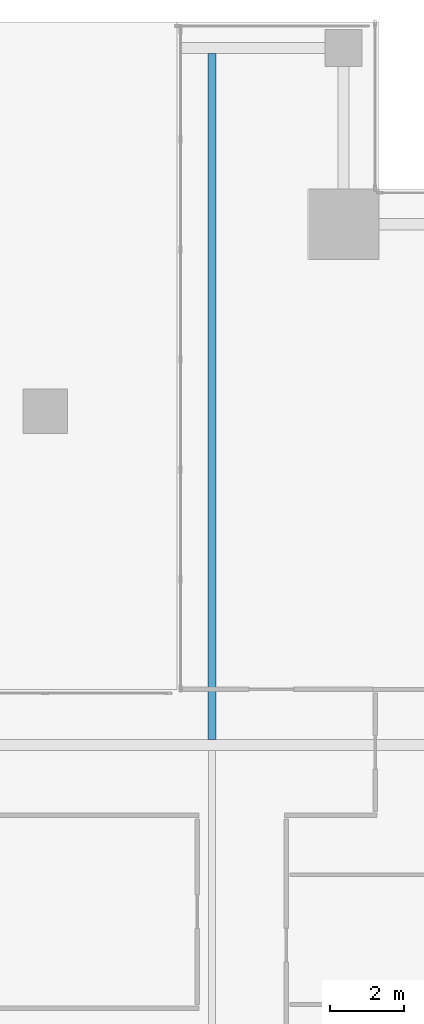
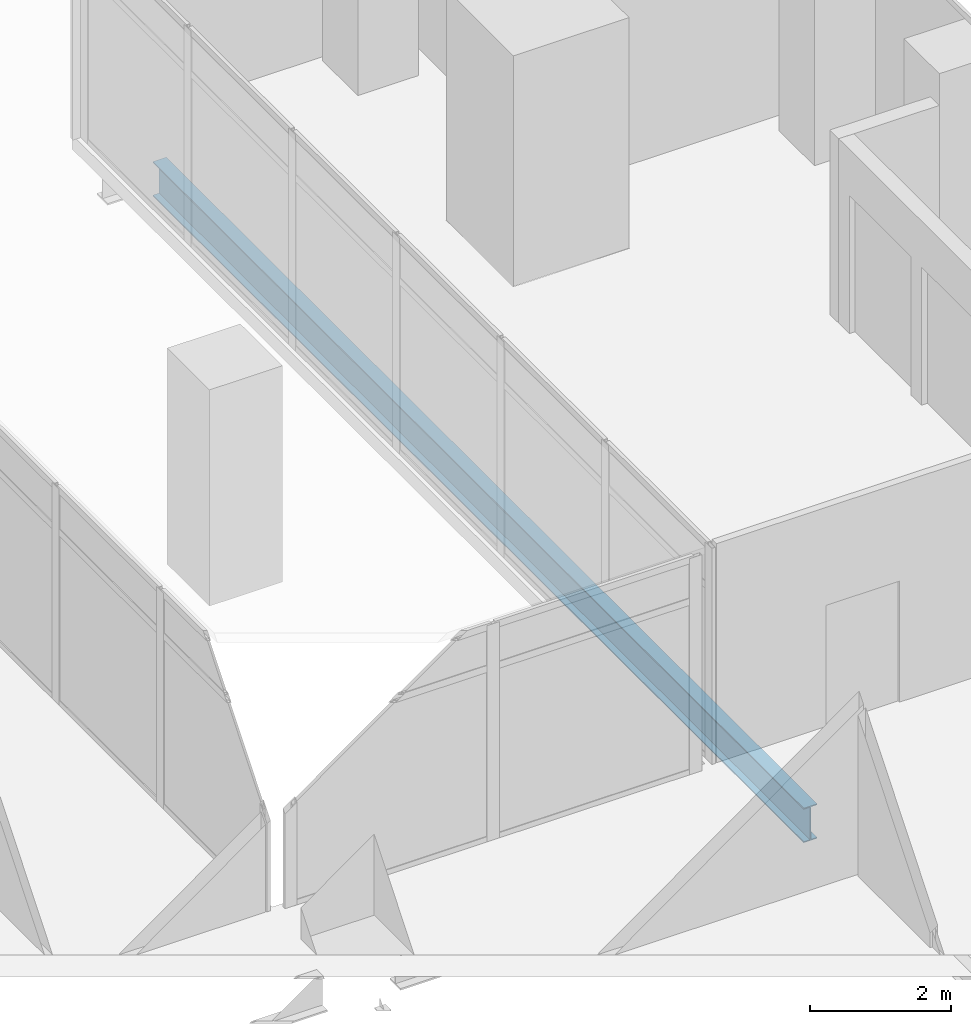
# One storey, part 26 of 40: 1 beam.
"""IFC4 building model written with IfcOpenShell, lengths in metres."""

from ifc_helpers import new_model, si_unit, direction, frame, origin, origin_2d, place, context, subcontext, project, spatial, i_section, extrude, source, transform, mapped, material, material_profile, profile_set, type_object, element, save


model = new_model("IFC4")

# Units and contexts
model_context = context("Model", 3, precision=1e-05, world=origin(), true_north=direction((0.0, 1.0)))
body_context = subcontext(model_context, "Body", "Model", "MODEL_VIEW")
ifc_project = project(units=[si_unit("LENGTHUNIT", "METRE"), si_unit("AREAUNIT", "SQUARE_METRE"), si_unit("VOLUMEUNIT", "CUBIC_METRE"), si_unit("PLANEANGLEUNIT", "RADIAN"), si_unit("MASSUNIT", "GRAM", prefix="KILO")], contexts=[model_context])

# Site, building, storey
site_placement = place(None, origin())
site = spatial("IfcSite", under=ifc_project, at=site_placement, CompositionType="ELEMENT")
building_placement = place(site_placement, origin())
building = spatial("IfcBuilding", under=site, at=building_placement, Name="Khomas Fold Tower", CompositionType="ELEMENT")
storey_placement = place(building_placement, frame((0.0, 0.0, 184.699951171875)))
storey = spatial("IfcBuildingStorey", under=building, at=storey_placement, Name="L40", CompositionType="ELEMENT", Elevation=184.699951171875)

# Beam
ifc_material = material(Name="Steel S355", Category="steel")
ifc_material_profile = material_profile(ifc_material, i_section(OverallWidth=0.219970703125, OverallDepth=0.60009765625, WebThickness=0.011962890625, FlangeThickness=0.01904296875, at=origin_2d()), Name="IPE 600")
ifc_profile_set = profile_set([ifc_material_profile], Name="Steel S355")
beam_type = type_object("IfcBeamType", Name="IPE 600 beam JB7", PredefinedType="BEAM", material=ifc_profile_set)
shared_shape = source(origin(), body_context, "Body", "SweptSolid", [
    extrude(i_section(OverallWidth=0.219970703125, OverallDepth=0.60009765625, WebThickness=0.011962890625, FlangeThickness=0.01904296875, at=origin_2d()), origin(), (0.0, 0.0, 1.0), 18.5),
])
beam_placement = place(storey_placement, frame((42.0, 31.64990234375, -0.550048828125), z_axis=(0.0, 1.0, 0.0), x_axis=(-1.0, 0.0, 0.0)))
element("IfcBeam", 1, at=beam_placement, inside=storey, type_object=beam_type, Name="JB7", PredefinedType="BEAM", context=body_context, shape_type="MappedRepresentation", body=[
    mapped(shared_shape, transform((0.0, 0.0, 0.0))),
])

save(model, "model.ifc")
